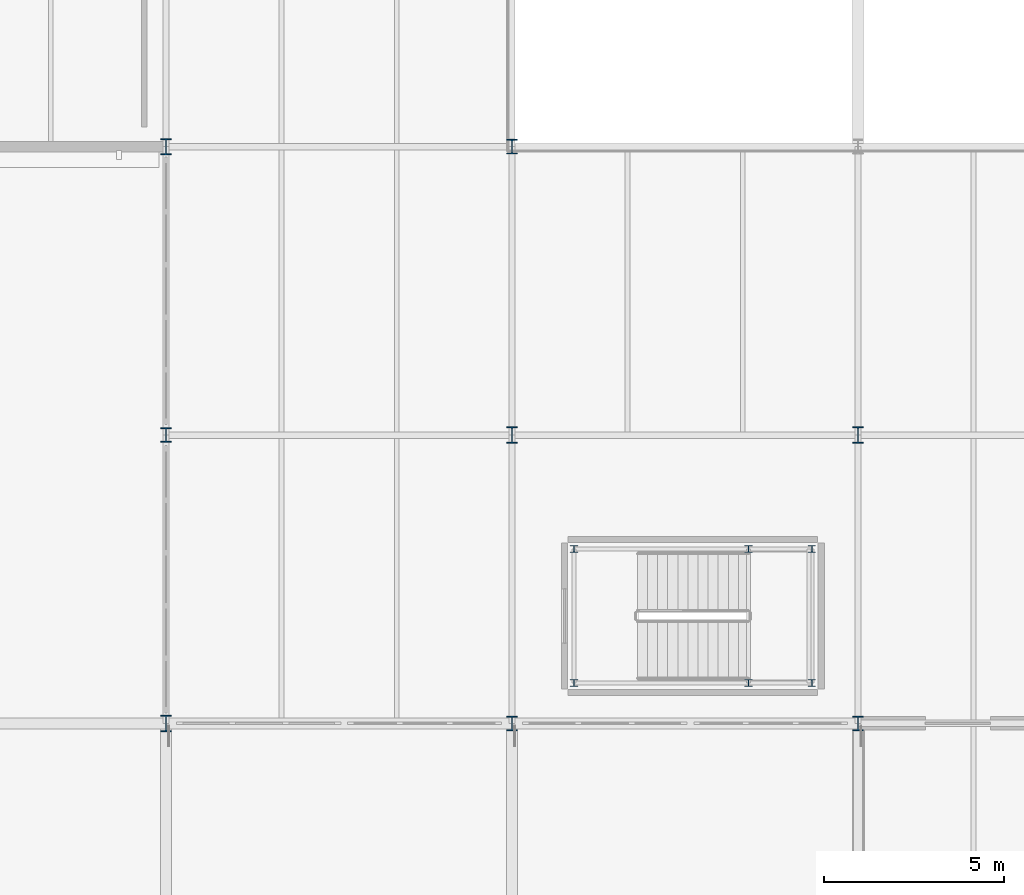
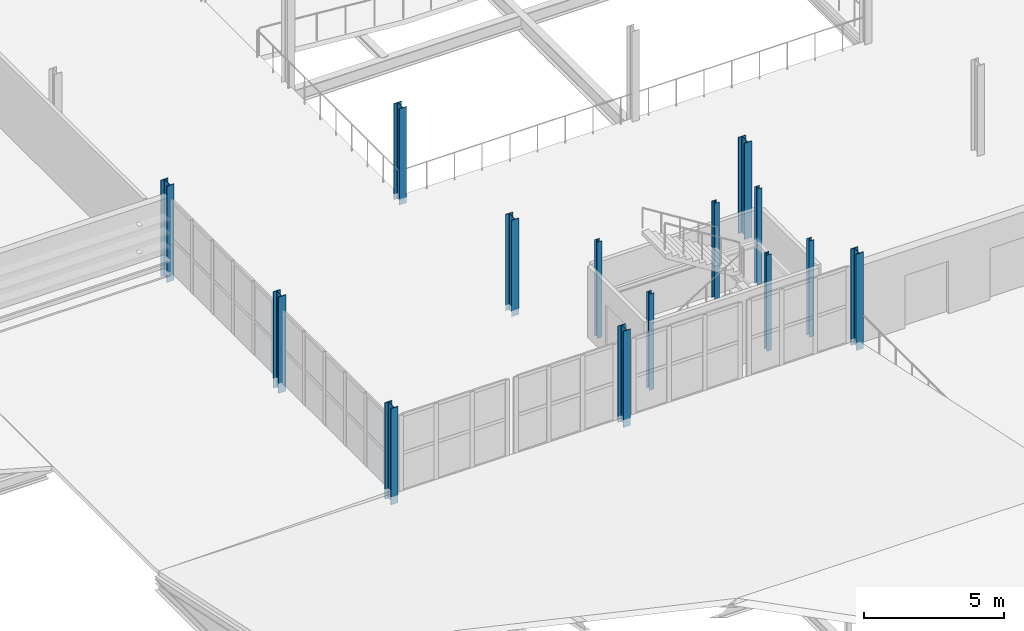
# One storey, part 3 of 85: 14 columns.
"""IFC4 building model written with IfcOpenShell, lengths in metres."""

from ifc_helpers import new_model, si_unit, direction, frame, origin, origin_2d, place, context, subcontext, project, spatial, i_section, extrude, material, material_profile, profile_set, type_object, element, save


model = new_model("IFC4")

# Units and contexts
model_context = context("Model", 3, precision=1e-05, world=origin(), true_north=direction((0.0, 1.0)))
body_context = subcontext(model_context, "Body", "Model", "MODEL_VIEW")
ifc_project = project(units=[si_unit("LENGTHUNIT", "METRE"), si_unit("AREAUNIT", "SQUARE_METRE"), si_unit("VOLUMEUNIT", "CUBIC_METRE"), si_unit("PLANEANGLEUNIT", "RADIAN"), si_unit("MASSUNIT", "GRAM", prefix="KILO")], contexts=[model_context])

# Site, building, storey
site_placement = place(None, origin())
site = spatial("IfcSite", under=ifc_project, at=site_placement, CompositionType="ELEMENT")
building_placement = place(site_placement, origin())
building = spatial("IfcBuilding", under=site, at=building_placement, Name="Alderhovde Museum", CompositionType="ELEMENT")
storey_placement = place(building_placement, frame((0.0, 0.0, 8.699951171875)))
storey = spatial("IfcBuildingStorey", under=building, at=storey_placement, Name="L02", CompositionType="ELEMENT", Elevation=8.699951171875)

# Columns
ifc_material_1 = material(Name="Steel S355J2", Category="steel")
ifc_material_profile_1 = material_profile(ifc_material_1, i_section(OverallWidth=0.199951171875, OverallDepth=0.18994140625, WebThickness=0.006591796875, FlangeThickness=0.010009765625, FilletRadius=0.01806640625, at=origin_2d()), Name="HEA 200")
ifc_profile_set_1 = profile_set([ifc_material_profile_1], Name="Steel S355J2")
column_type_1 = type_object("IfcColumnType", Name="COL-HEA200", PredefinedType="COLUMN", material=ifc_profile_set_1)
for number, where, z_axis, x_axis, name in (
    (1, (88.1201171875, 33.1201171875, 0.0), (0.0, 0.0, 1.0), (1.0, 0.0, 0.0), "L02 Stair ST3 Shaft Column 1"),
    (2, (94.719970703125, 33.1201171875, 0.0), (0.0, 0.0, 1.0), (1.0, 0.0, 0.0), "L02 Stair ST3 Shaft Column 2"),
    (3, (94.719970703125, 36.840087890625, 0.0), (0.0, 0.0, 1.0), (1.0, 0.0, 0.0), "L02 Stair ST3 Shaft Column 3"),
    (4, (88.1201171875, 36.840087890625, 0.0), (0.0, 0.0, 1.0), (1.0, 0.0, 0.0), "L02 Stair ST3 Shaft Column 4"),
    (5, (92.9599609375, 33.1201171875, 0.0), (0.0, 0.0, 1.0), (1.0, 0.0, 0.0), "L02 Stair ST3 Shaft Column 5"),
    (6, (92.9599609375, 36.840087890625, 0.0), (0.0, 0.0, 1.0), (1.0, 0.0, 0.0), "L02 Stair ST3 Shaft Column 6"),
):
    element("IfcColumn", number, at=place(storey_placement, frame(where, z_axis=z_axis, x_axis=x_axis)), inside=storey, type_object=column_type_1, Name=name, PredefinedType="COLUMN", context=body_context, shape_type="SweptSolid", body=[
        extrude(i_section(OverallWidth=0.199951171875, OverallDepth=0.18994140625, WebThickness=0.006591796875, FlangeThickness=0.010009765625, FilletRadius=0.01806640625, at=origin_2d()), origin(), (0.0, 0.0, 1.0), 4.199951171875),
    ])
ifc_material_2 = material(Name="Steel S355J2", Category="steel")
ifc_material_profile_2 = material_profile(ifc_material_2, i_section(OverallWidth=0.300048828125, OverallDepth=0.39990234375, WebThickness=0.013427734375, FlangeThickness=0.02392578125, FilletRadius=0.027099609375, at=origin_2d()), Name="HEB 400")
ifc_profile_set_2 = profile_set([ifc_material_profile_2], Name="Steel S355J2")
column_type_2 = type_object("IfcColumnType", Name="COL-HEB400", PredefinedType="COLUMN", material=ifc_profile_set_2)
for number, where, z_axis, x_axis, name in (
    (7, (76.800048828125, 40.0, -0.260009765625), (0.0, 0.0, 1.0), (1.0, 0.0, 0.0), "L02 Column (76.8, 40.0)"),
    (8, (86.39990234375, 32.0, -0.260009765625), (0.0, 0.0, 1.0), (1.0, 0.0, 0.0), "L02 Column (86.4, 32.0)"),
    (9, (86.39990234375, 48.0, -0.260009765625), (0.0, 0.0, 1.0), (1.0, 0.0, 0.0), "L02 Column (86.4, 48.0)"),
    (10, (96.0, 32.0, -0.260009765625), (0.0, 0.0, 1.0), (1.0, 0.0, 0.0), "L02 Column (96.0, 32.0)"),
):
    element("IfcColumn", number, at=place(storey_placement, frame(where, z_axis=z_axis, x_axis=x_axis)), inside=storey, type_object=column_type_2, Name=name, PredefinedType="COLUMN", context=body_context, shape_type="SweptSolid", body=[
        extrude(i_section(OverallWidth=0.300048828125, OverallDepth=0.39990234375, WebThickness=0.013427734375, FlangeThickness=0.02392578125, FilletRadius=0.027099609375, at=origin_2d()), origin(), (0.0, 0.0, 1.0), 4.199951171875),
    ])
ifc_material_3 = material(Name="Steel S355J2", Category="steel")
ifc_material_profile_3 = material_profile(ifc_material_3, i_section(OverallWidth=0.300048828125, OverallDepth=0.449951171875, WebThickness=0.013916015625, FlangeThickness=0.02587890625, FilletRadius=0.027099609375, at=origin_2d()), Name="HEB 450")
ifc_profile_set_3 = profile_set([ifc_material_profile_3], Name="Steel S355J2")
column_type_3 = type_object("IfcColumnType", Name="COL-HEB450", PredefinedType="COLUMN", material=ifc_profile_set_3)
for number, where, z_axis, x_axis, name in (
    (11, (76.800048828125, 32.0, -0.260009765625), (0.0, 0.0, 1.0), (1.0, 0.0, 0.0), "L02 Column (76.8, 32.0)"),
    (12, (76.800048828125, 48.0, -0.260009765625), (0.0, 0.0, 1.0), (1.0, 0.0, 0.0), "L02 Column (76.8, 48.0)"),
    (13, (86.39990234375, 40.0, -0.260009765625), (0.0, 0.0, 1.0), (1.0, 0.0, 0.0), "L02 Column (86.4, 40.0)"),
    (14, (96.0, 40.0, -0.260009765625), (0.0, 0.0, 1.0), (1.0, 0.0, 0.0), "L02 Column (96.0, 40.0)"),
):
    element("IfcColumn", number, at=place(storey_placement, frame(where, z_axis=z_axis, x_axis=x_axis)), inside=storey, type_object=column_type_3, Name=name, PredefinedType="COLUMN", context=body_context, shape_type="SweptSolid", body=[
        extrude(i_section(OverallWidth=0.300048828125, OverallDepth=0.449951171875, WebThickness=0.013916015625, FlangeThickness=0.02587890625, FilletRadius=0.027099609375, at=origin_2d()), origin(), (0.0, 0.0, 1.0), 4.199951171875),
    ])

save(model, "model.ifc")
